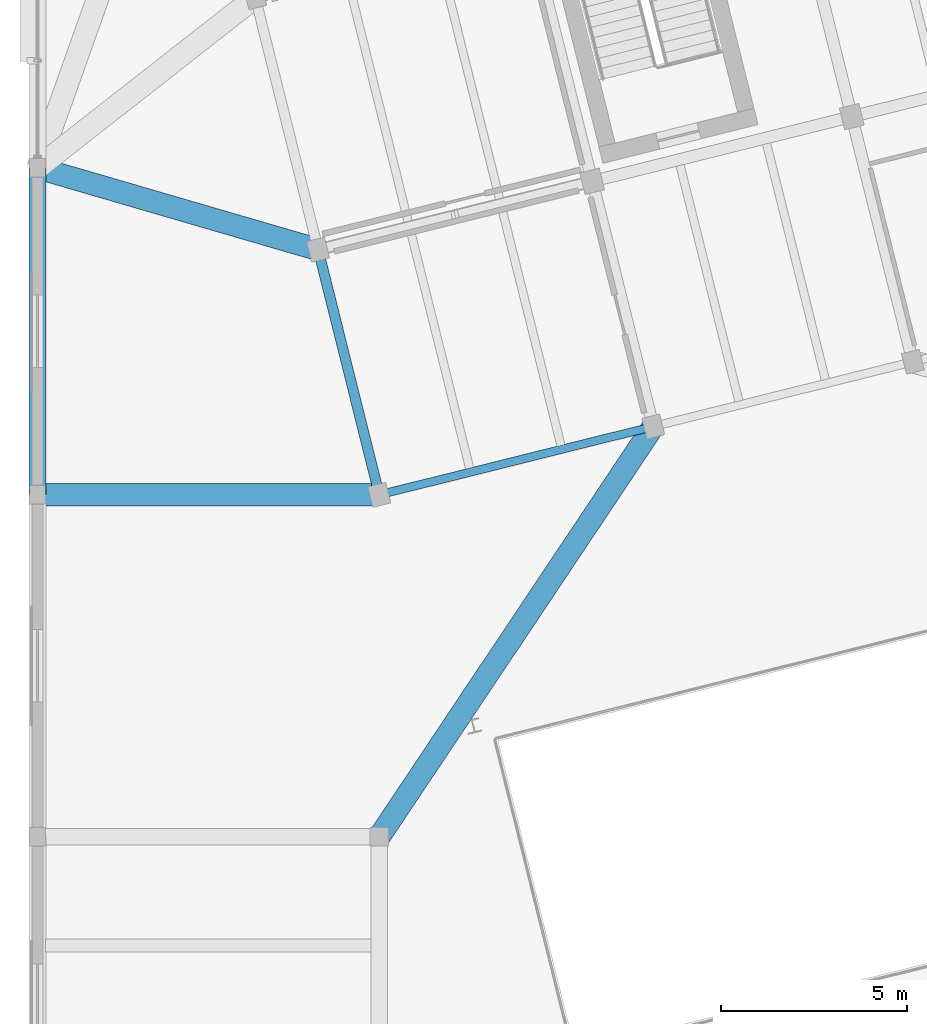
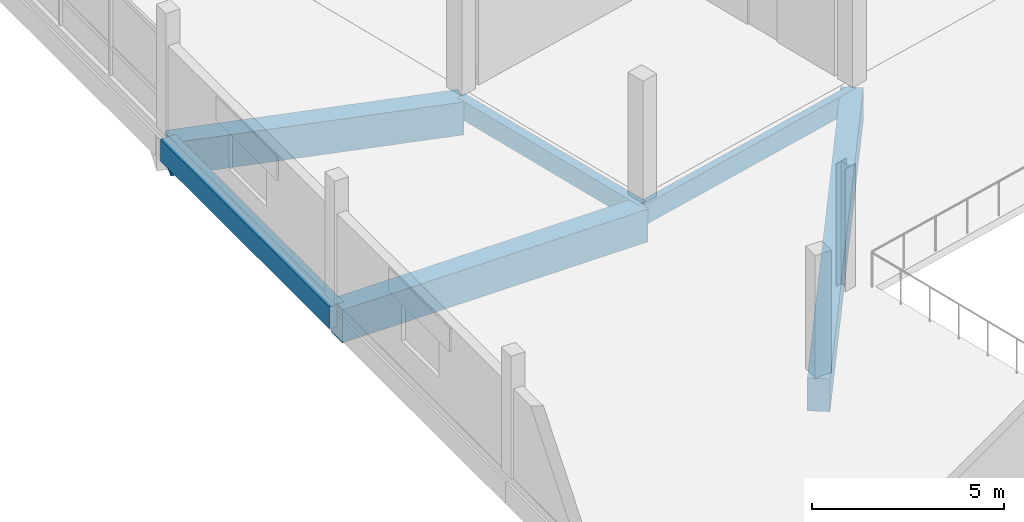
# One storey, part 17 of 62: 6 beams.
"""IFC4 building model written with IfcOpenShell, lengths in metres."""

from ifc_helpers import new_model, si_unit, direction, frame, origin, origin_2d, place, context, subcontext, project, spatial, rectangle, extrude, material, material_profile, profile_set, type_object, element, save


model = new_model("IFC4")

# Units and contexts
model_context = context("Model", 3, precision=1e-05, world=origin(), true_north=direction((0.0, 1.0)))
body_context = subcontext(model_context, "Body", "Model", "MODEL_VIEW")
ifc_project = project(units=[si_unit("LENGTHUNIT", "METRE"), si_unit("AREAUNIT", "SQUARE_METRE"), si_unit("VOLUMEUNIT", "CUBIC_METRE"), si_unit("PLANEANGLEUNIT", "RADIAN"), si_unit("MASSUNIT", "GRAM", prefix="KILO")], contexts=[model_context])

# Site, building, storey
site_placement = place(None, origin())
site = spatial("IfcSite", under=ifc_project, at=site_placement, CompositionType="ELEMENT")
building_placement = place(site_placement, origin())
building = spatial("IfcBuilding", under=site, at=building_placement, Name="Meriwether Solvik Hall", CompositionType="ELEMENT")
storey_placement = place(building_placement, frame((0.0, 0.0, 14.39990234375)))
storey = spatial("IfcBuildingStorey", under=building, at=storey_placement, Name="L03", CompositionType="ELEMENT", Elevation=14.39990234375)

# Beams
ifc_material_1 = material(Name="Glulam Douglas-Fir 24F-V8 GL28h", Category="wood")
ifc_material_profile_1 = material_profile(ifc_material_1, rectangle(XDim=0.221923828125, YDim=0.64501953125, at=origin_2d()), Name="GLB-222X645")
ifc_profile_set_1 = profile_set([ifc_material_profile_1], Name="Glulam Douglas-Fir 24F-V8 GL28h")
beam_type_1 = type_object("IfcBeamType", Name="BM-GL-222X645", PredefinedType="SPANDREL", material=ifc_profile_set_1)
beam_1_placement = place(storey_placement, frame((68.60009765625, 41.199951171875, -0.5673828125), z_axis=(0.970295366785, 0.241923337436, 0.0), x_axis=(-0.241923337436, 0.970295366785, 0.0)))
element("IfcBeam", 1, at=beam_1_placement, inside=storey, type_object=beam_type_1, Name="Tower Girder TA:T1-T2 (L03)", PredefinedType="SPANDREL", context=body_context, shape_type="SweptSolid", body=[
    extrude(rectangle(XDim=0.221923828125, YDim=0.64501953125, at=origin_2d()), origin(), (0.0, 0.0, 1.0), 7.60009765625),
])
ifc_material_2 = material(Name="Glulam Douglas-Fir 24F-V8 GL28h", Category="wood")
ifc_material_profile_2 = material_profile(ifc_material_2, rectangle(XDim=0.27294921875, YDim=0.610107421875, at=origin_2d()), Name="GLB-273X610")
ifc_profile_set_2 = profile_set([ifc_material_profile_2], Name="Glulam Douglas-Fir 24F-V8 GL28h")
beam_type_2 = type_object("IfcBeamType", Name="BM-GL-273X610", PredefinedType="SPANDREL", material=ifc_profile_set_2)
beam_2_placement = place(storey_placement, frame((68.60009765625, 41.199951171875, -0.5498046875), z_axis=(-0.241944251278, 0.970290152106, 0.0), x_axis=(-0.970290152106, -0.241944251278, 0.0)))
element("IfcBeam", 2, at=beam_2_placement, inside=storey, type_object=beam_type_2, Name="Tower Girder T1:TA-TB (L03)", PredefinedType="SPANDREL", context=body_context, shape_type="SweptSolid", body=[
    extrude(rectangle(XDim=0.27294921875, YDim=0.610107421875, at=origin_2d()), origin(), (0.0, 0.0, 1.0), 6.80029296875),
])
ifc_material_3 = material(Name="Concrete C40/50", Category="concrete")
ifc_material_profile_3 = material_profile(ifc_material_3, rectangle(XDim=0.449951171875, YDim=0.699951171875, at=origin_2d()), Name="RCB-450X700")
ifc_profile_set_3 = profile_set([ifc_material_profile_3], Name="Concrete C40/50")
beam_type_3 = type_object("IfcBeamType", Name="BM-RC-450X700", PredefinedType="BEAM", material=ifc_profile_set_3)
beam_3_placement = place(storey_placement, frame((59.39990234375, 41.199951171875, -0.594970703125), z_axis=(0.0, 1.0, 0.0), x_axis=(-1.0, 0.0, 0.0)))
element("IfcBeam", 3, at=beam_3_placement, inside=storey, type_object=beam_type_3, Name="Podium Girder 7:E-F (L03)", PredefinedType="BEAM", context=body_context, shape_type="SweptSolid", body=[
    extrude(rectangle(XDim=0.449951171875, YDim=0.699951171875, at=origin_2d()), origin(), (0.0, 0.0, 1.0), 8.800048828125),
])
ifc_material_4 = material(Name="Concrete C40/50", Category="concrete")
ifc_material_profile_4 = material_profile(ifc_material_4, rectangle(XDim=0.60009765625, YDim=1.050048828125, at=origin_2d()), Name="RCB-600X1050")
ifc_profile_set_4 = profile_set([ifc_material_profile_4], Name="Concrete C40/50")
beam_type_4 = type_object("IfcBeamType", Name="BM-RC-600X1050", PredefinedType="BEAM", material=ifc_profile_set_4)
beam_4_placement = place(storey_placement, frame((68.60009765625, 41.199951171875, -0.77001953125), z_axis=(-1.0, 0.0, 0.0), x_axis=(0.0, -1.0, 0.0)))
element("IfcBeam", 4, at=beam_4_placement, inside=storey, type_object=beam_type_4, Name="Diaphragm Collector Girder T1/TA-7/E (L03)", PredefinedType="BEAM", context=body_context, shape_type="SweptSolid", body=[
    extrude(rectangle(XDim=0.60009765625, YDim=1.050048828125, at=origin_2d()), origin(), (0.0, 0.0, 1.0), 9.2001953125),
])
beam_5_placement = place(storey_placement, frame((66.954833984375, 47.798095703125, -0.77001953125), z_axis=(-0.960055229861, 0.279810570952, 0.0), x_axis=(-0.279810570952, -0.960055229861, 0.0)))
element("IfcBeam", 5, at=beam_5_placement, inside=storey, type_object=beam_type_4, Name="Diaphragm Collector Girder T1/TB-7/F (L03)", PredefinedType="BEAM", context=body_context, shape_type="SweptSolid", body=[
    extrude(rectangle(XDim=0.60009765625, YDim=1.050048828125, at=origin_2d()), origin(), (0.0, 0.0, 1.0), 7.869384765625),
])
beam_6_placement = place(storey_placement, frame((75.974365234375, 43.03857421875, -0.77001953125), z_axis=(-0.555493576882, -0.831520827185, 0.0), x_axis=(0.831520827185, -0.555493576882, 0.0)))
element("IfcBeam", 6, at=beam_6_placement, inside=storey, type_object=beam_type_4, Name="Diaphragm Collector Girder T2/TA-8/D (L03)", PredefinedType="BEAM", context=body_context, shape_type="SweptSolid", body=[
    extrude(rectangle(XDim=0.60009765625, YDim=1.050048828125, at=origin_2d()), origin(), (0.0, 0.0, 1.0), 13.275146484375),
])

save(model, "model.ifc")
